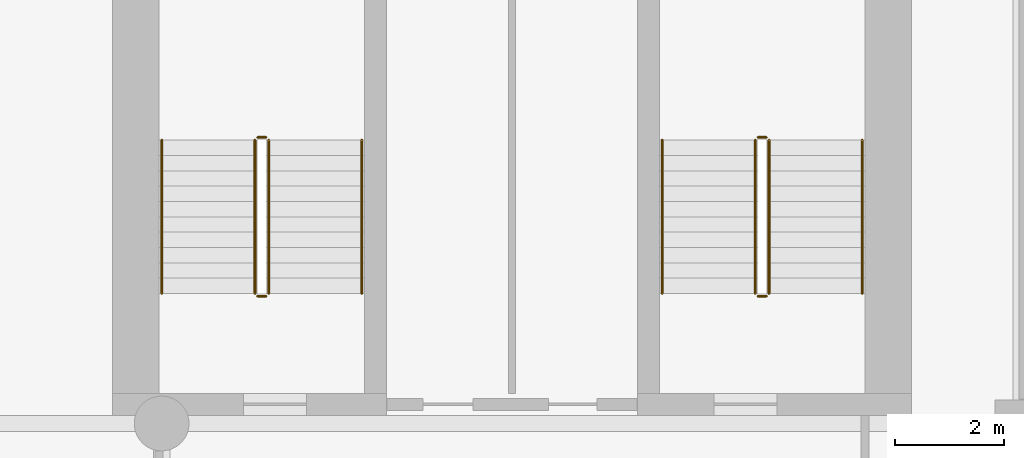
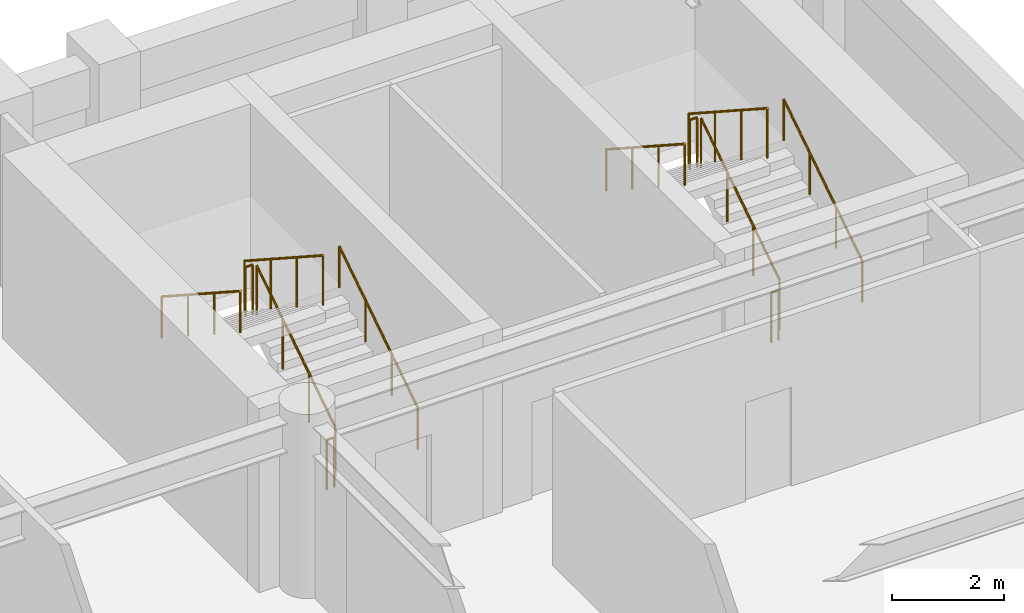
# One storey, part 8 of 8: 12 railings.
"""IFC4 building model written with IfcOpenShell, lengths in metres."""

from ifc_helpers import new_model, si_unit, direction, frame, origin, origin_2d, place, context, subcontext, project, spatial, circle, extrude, material, type_object, element, save


model = new_model("IFC4")

# Units and contexts
model_context = context("Model", 3, precision=1e-05, world=origin(), true_north=direction((0.0, 1.0)))
body_context = subcontext(model_context, "Body", "Model", "MODEL_VIEW")
ifc_project = project(units=[si_unit("LENGTHUNIT", "METRE"), si_unit("AREAUNIT", "SQUARE_METRE"), si_unit("VOLUMEUNIT", "CUBIC_METRE"), si_unit("PLANEANGLEUNIT", "RADIAN"), si_unit("MASSUNIT", "GRAM", prefix="KILO")], contexts=[model_context])

# Site, building, storey
site_placement = place(None, origin())
site = spatial("IfcSite", under=ifc_project, at=site_placement, CompositionType="ELEMENT")
building_placement = place(site_placement, origin())
building = spatial("IfcBuilding", under=site, at=building_placement, Name="Sulina Concourse Tower", CompositionType="ELEMENT")
storey_placement = place(building_placement, frame((0.0, 0.0, 144.60009765625)))
storey = spatial("IfcBuildingStorey", under=building, at=storey_placement, Name="L35", CompositionType="ELEMENT", Elevation=144.60009765625)

# Railings
ifc_material_1 = material(Name="Galvanised steel railing", Category="steel")
railing_type_1 = type_object("IfcRailingType", Name="Core Stair Steel Guardrail 1150mm", PredefinedType="GUARDRAIL", material=ifc_material_1)
railing_1_placement = place(storey_placement, frame((43.554931640625, 36.375, 0.181640625)))
element("IfcRailing", 1, at=railing_1_placement, inside=storey, type_object=railing_type_1, Name="L35 ST-3 stair guard 1", PredefinedType="GUARDRAIL", context=body_context, shape_type="SweptSolid", body=[
    extrude(circle(Radius=0.02392578125, at=origin_2d()), frame((0.0, 0.0, 1.076171875), z_axis=(0.0, 0.838672427954, 0.544636170843), x_axis=(-1.0, 0.0, 0.0)), (0.0, 0.0, 1.0), 3.338623046875),
    extrude(circle(Radius=0.02099609375, at=origin_2d()), origin(), (0.0, 0.0, 1.0), 1.052001953125),
    extrude(circle(Radius=0.02099609375, at=origin_2d()), frame((0.0, 0.933349609375, 0.606201171875)), (0.0, 0.0, 1.0), 1.052001953125),
    extrude(circle(Radius=0.02099609375, at=origin_2d()), frame((0.0, 1.86669921875, 1.212158203125)), (0.0, 0.0, 1.0), 1.052001953125),
    extrude(circle(Radius=0.02099609375, at=origin_2d()), frame((0.0, 2.800048828125, 1.818359375)), (0.0, 0.0, 1.0), 1.052001953125),
])
railing_2_placement = place(storey_placement, frame((43.5048828125, 39.22509765625, 2.0)))
element("IfcRailing", 2, at=railing_2_placement, inside=storey, type_object=railing_type_1, Name="L35 ST-3 stair guard 2", PredefinedType="GUARDRAIL", context=body_context, shape_type="SweptSolid", body=[
    extrude(circle(Radius=0.02392578125, at=origin_2d()), frame((0.0, 0.0, 1.076171875), z_axis=(-1.0, 0.0, 0.0), x_axis=(0.0, -1.0, 0.0)), (0.0, 0.0, 1.0), 0.14990234375),
    extrude(circle(Radius=0.02099609375, at=origin_2d()), origin(), (0.0, 0.0, 1.0), 1.052001953125),
    extrude(circle(Radius=0.02099609375, at=origin_2d()), frame((-0.14990234375, 0.0, 0.0)), (0.0, 0.0, 1.0), 1.052001953125),
])
railing_3_placement = place(storey_placement, frame((43.304931640625, 39.175048828125, 2.181640625)))
element("IfcRailing", 3, at=railing_3_placement, inside=storey, type_object=railing_type_1, Name="L35 ST-3 stair guard 3", PredefinedType="GUARDRAIL", context=body_context, shape_type="SweptSolid", body=[
    extrude(circle(Radius=0.02392578125, at=origin_2d()), frame((0.0, 0.0, 1.076171875), z_axis=(0.0, -0.838672427954, 0.544636170843), x_axis=(1.0, 0.0, 0.0)), (0.0, 0.0, 1.0), 3.338623046875),
    extrude(circle(Radius=0.02099609375, at=origin_2d()), origin(), (0.0, 0.0, 1.0), 1.052001953125),
    extrude(circle(Radius=0.02099609375, at=origin_2d()), frame((0.0, -0.933349609375, 0.606201171875)), (0.0, 0.0, 1.0), 1.052001953125),
    extrude(circle(Radius=0.02099609375, at=origin_2d()), frame((0.0, -1.86669921875, 1.212158203125)), (0.0, 0.0, 1.0), 1.052001953125),
    extrude(circle(Radius=0.02099609375, at=origin_2d()), frame((0.0, -2.800048828125, 1.818359375)), (0.0, 0.0, 1.0), 1.052001953125),
])
railing_4_placement = place(storey_placement, frame((43.5048828125, 36.324951171875, 0.0)))
element("IfcRailing", 4, at=railing_4_placement, inside=storey, type_object=railing_type_1, Name="L35 ST-3 stair guard 4", PredefinedType="GUARDRAIL", context=body_context, shape_type="SweptSolid", body=[
    extrude(circle(Radius=0.02392578125, at=origin_2d()), frame((0.0, 0.0, 1.076171875), z_axis=(-1.0, 0.0, 0.0), x_axis=(0.0, -1.0, 0.0)), (0.0, 0.0, 1.0), 0.14990234375),
    extrude(circle(Radius=0.02099609375, at=origin_2d()), origin(), (0.0, 0.0, 1.0), 1.052001953125),
    extrude(circle(Radius=0.02099609375, at=origin_2d()), frame((-0.14990234375, 0.0, 0.0)), (0.0, 0.0, 1.0), 1.052001953125),
])
railing_5_placement = place(storey_placement, frame((52.695068359375, 36.375, 0.181640625)))
element("IfcRailing", 5, at=railing_5_placement, inside=storey, type_object=railing_type_1, Name="L35 ST-4 stair guard 1", PredefinedType="GUARDRAIL", context=body_context, shape_type="SweptSolid", body=[
    extrude(circle(Radius=0.02392578125, at=origin_2d()), frame((0.0, 0.0, 1.076171875), z_axis=(0.0, 0.838672427954, 0.544636170843), x_axis=(-1.0, 0.0, 0.0)), (0.0, 0.0, 1.0), 3.338623046875),
    extrude(circle(Radius=0.02099609375, at=origin_2d()), origin(), (0.0, 0.0, 1.0), 1.052001953125),
    extrude(circle(Radius=0.02099609375, at=origin_2d()), frame((0.0, 0.933349609375, 0.606201171875)), (0.0, 0.0, 1.0), 1.052001953125),
    extrude(circle(Radius=0.02099609375, at=origin_2d()), frame((0.0, 1.86669921875, 1.212158203125)), (0.0, 0.0, 1.0), 1.052001953125),
    extrude(circle(Radius=0.02099609375, at=origin_2d()), frame((0.0, 2.800048828125, 1.818359375)), (0.0, 0.0, 1.0), 1.052001953125),
])
railing_6_placement = place(storey_placement, frame((52.64501953125, 39.22509765625, 2.0)))
element("IfcRailing", 6, at=railing_6_placement, inside=storey, type_object=railing_type_1, Name="L35 ST-4 stair guard 2", PredefinedType="GUARDRAIL", context=body_context, shape_type="SweptSolid", body=[
    extrude(circle(Radius=0.02392578125, at=origin_2d()), frame((0.0, 0.0, 1.076171875), z_axis=(-1.0, 0.0, 0.0), x_axis=(0.0, -1.0, 0.0)), (0.0, 0.0, 1.0), 0.14990234375),
    extrude(circle(Radius=0.02099609375, at=origin_2d()), origin(), (0.0, 0.0, 1.0), 1.052001953125),
    extrude(circle(Radius=0.02099609375, at=origin_2d()), frame((-0.14990234375, 0.0, 0.0)), (0.0, 0.0, 1.0), 1.052001953125),
])
railing_7_placement = place(storey_placement, frame((52.445068359375, 39.175048828125, 2.181640625)))
element("IfcRailing", 7, at=railing_7_placement, inside=storey, type_object=railing_type_1, Name="L35 ST-4 stair guard 3", PredefinedType="GUARDRAIL", context=body_context, shape_type="SweptSolid", body=[
    extrude(circle(Radius=0.02392578125, at=origin_2d()), frame((0.0, 0.0, 1.076171875), z_axis=(0.0, -0.838672427954, 0.544636170843), x_axis=(1.0, 0.0, 0.0)), (0.0, 0.0, 1.0), 3.338623046875),
    extrude(circle(Radius=0.02099609375, at=origin_2d()), origin(), (0.0, 0.0, 1.0), 1.052001953125),
    extrude(circle(Radius=0.02099609375, at=origin_2d()), frame((0.0, -0.933349609375, 0.606201171875)), (0.0, 0.0, 1.0), 1.052001953125),
    extrude(circle(Radius=0.02099609375, at=origin_2d()), frame((0.0, -1.86669921875, 1.212158203125)), (0.0, 0.0, 1.0), 1.052001953125),
    extrude(circle(Radius=0.02099609375, at=origin_2d()), frame((0.0, -2.800048828125, 1.818359375)), (0.0, 0.0, 1.0), 1.052001953125),
])
railing_8_placement = place(storey_placement, frame((52.64501953125, 36.324951171875, 0.0)))
element("IfcRailing", 8, at=railing_8_placement, inside=storey, type_object=railing_type_1, Name="L35 ST-4 stair guard 4", PredefinedType="GUARDRAIL", context=body_context, shape_type="SweptSolid", body=[
    extrude(circle(Radius=0.02392578125, at=origin_2d()), frame((0.0, 0.0, 1.076171875), z_axis=(-1.0, 0.0, 0.0), x_axis=(0.0, -1.0, 0.0)), (0.0, 0.0, 1.0), 0.14990234375),
    extrude(circle(Radius=0.02099609375, at=origin_2d()), origin(), (0.0, 0.0, 1.0), 1.052001953125),
    extrude(circle(Radius=0.02099609375, at=origin_2d()), frame((-0.14990234375, 0.0, 0.0)), (0.0, 0.0, 1.0), 1.052001953125),
])
ifc_material_2 = material(Name="Galvanised steel railing", Category="steel")
railing_type_2 = type_object("IfcRailingType", Name="Stair Wall Steel Handrail 920mm", PredefinedType="HANDRAIL", material=ifc_material_2)
railing_9_placement = place(storey_placement, frame((45.2548828125, 36.375, 0.181640625)))
element("IfcRailing", 9, at=railing_9_placement, inside=storey, type_object=railing_type_2, Name="L35 ST-3 stair handrail 1", PredefinedType="HANDRAIL", context=body_context, shape_type="SweptSolid", body=[
    extrude(circle(Radius=0.02392578125, at=origin_2d()), frame((0.0, 0.0, 0.89599609375), z_axis=(0.0, 0.838672427954, 0.544636170843), x_axis=(-1.0, 0.0, 0.0)), (0.0, 0.0, 1.0), 3.338623046875),
    extrude(circle(Radius=0.02099609375, at=origin_2d()), origin(), (0.0, 0.0, 1.0), 0.871826171875),
    extrude(circle(Radius=0.02099609375, at=origin_2d()), frame((0.0, 0.933349609375, 0.606201171875)), (0.0, 0.0, 1.0), 0.871826171875),
    extrude(circle(Radius=0.02099609375, at=origin_2d()), frame((0.0, 1.86669921875, 1.212158203125)), (0.0, 0.0, 1.0), 0.871826171875),
    extrude(circle(Radius=0.02099609375, at=origin_2d()), frame((0.0, 2.800048828125, 1.818359375)), (0.0, 0.0, 1.0), 0.871826171875),
])
railing_10_placement = place(storey_placement, frame((41.60498046875, 39.175048828125, 2.181640625)))
element("IfcRailing", 10, at=railing_10_placement, inside=storey, type_object=railing_type_2, Name="L35 ST-3 stair handrail 2", PredefinedType="HANDRAIL", context=body_context, shape_type="SweptSolid", body=[
    extrude(circle(Radius=0.02392578125, at=origin_2d()), frame((0.0, 0.0, 0.89599609375), z_axis=(0.0, -0.838672427954, 0.544636170843), x_axis=(1.0, 0.0, 0.0)), (0.0, 0.0, 1.0), 3.338623046875),
    extrude(circle(Radius=0.02099609375, at=origin_2d()), origin(), (0.0, 0.0, 1.0), 0.871826171875),
    extrude(circle(Radius=0.02099609375, at=origin_2d()), frame((0.0, -0.933349609375, 0.606201171875)), (0.0, 0.0, 1.0), 0.871826171875),
    extrude(circle(Radius=0.02099609375, at=origin_2d()), frame((0.0, -1.86669921875, 1.212158203125)), (0.0, 0.0, 1.0), 0.871826171875),
    extrude(circle(Radius=0.02099609375, at=origin_2d()), frame((0.0, -2.800048828125, 1.818359375)), (0.0, 0.0, 1.0), 0.871826171875),
])
railing_11_placement = place(storey_placement, frame((54.39501953125, 36.375, 0.181640625)))
element("IfcRailing", 11, at=railing_11_placement, inside=storey, type_object=railing_type_2, Name="L35 ST-4 stair handrail 1", PredefinedType="HANDRAIL", context=body_context, shape_type="SweptSolid", body=[
    extrude(circle(Radius=0.02392578125, at=origin_2d()), frame((0.0, 0.0, 0.89599609375), z_axis=(0.0, 0.838672427954, 0.544636170843), x_axis=(-1.0, 0.0, 0.0)), (0.0, 0.0, 1.0), 3.338623046875),
    extrude(circle(Radius=0.02099609375, at=origin_2d()), origin(), (0.0, 0.0, 1.0), 0.871826171875),
    extrude(circle(Radius=0.02099609375, at=origin_2d()), frame((0.0, 0.933349609375, 0.606201171875)), (0.0, 0.0, 1.0), 0.871826171875),
    extrude(circle(Radius=0.02099609375, at=origin_2d()), frame((0.0, 1.86669921875, 1.212158203125)), (0.0, 0.0, 1.0), 0.871826171875),
    extrude(circle(Radius=0.02099609375, at=origin_2d()), frame((0.0, 2.800048828125, 1.818359375)), (0.0, 0.0, 1.0), 0.871826171875),
])
railing_12_placement = place(storey_placement, frame((50.7451171875, 39.175048828125, 2.181640625)))
element("IfcRailing", 12, at=railing_12_placement, inside=storey, type_object=railing_type_2, Name="L35 ST-4 stair handrail 2", PredefinedType="HANDRAIL", context=body_context, shape_type="SweptSolid", body=[
    extrude(circle(Radius=0.02392578125, at=origin_2d()), frame((0.0, 0.0, 0.89599609375), z_axis=(0.0, -0.838672427954, 0.544636170843), x_axis=(1.0, 0.0, 0.0)), (0.0, 0.0, 1.0), 3.338623046875),
    extrude(circle(Radius=0.02099609375, at=origin_2d()), origin(), (0.0, 0.0, 1.0), 0.871826171875),
    extrude(circle(Radius=0.02099609375, at=origin_2d()), frame((0.0, -0.933349609375, 0.606201171875)), (0.0, 0.0, 1.0), 0.871826171875),
    extrude(circle(Radius=0.02099609375, at=origin_2d()), frame((0.0, -1.86669921875, 1.212158203125)), (0.0, 0.0, 1.0), 0.871826171875),
    extrude(circle(Radius=0.02099609375, at=origin_2d()), frame((0.0, -2.800048828125, 1.818359375)), (0.0, 0.0, 1.0), 0.871826171875),
])

save(model, "model.ifc")
